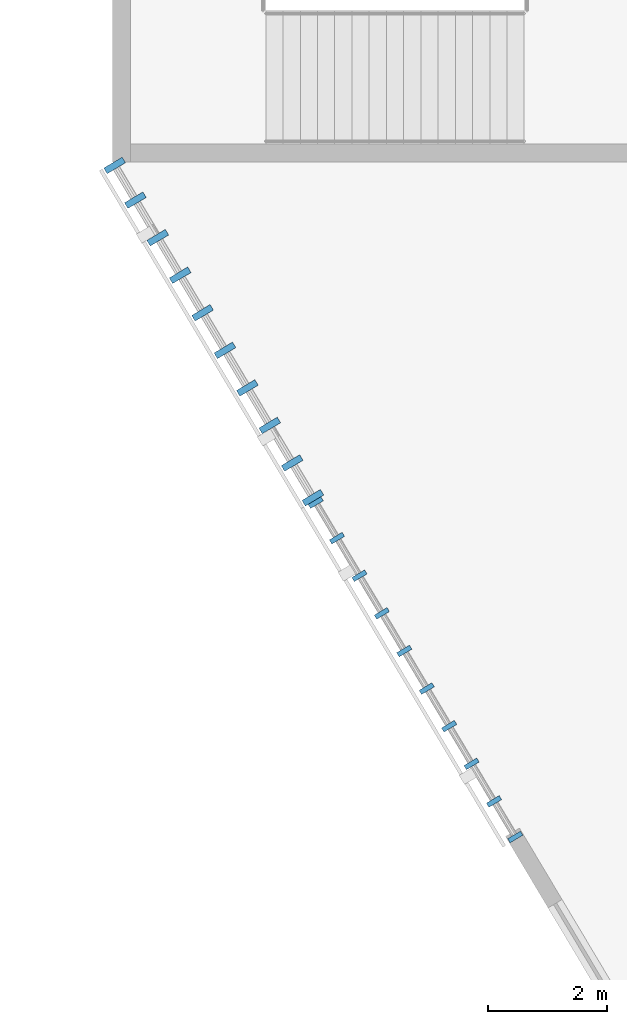
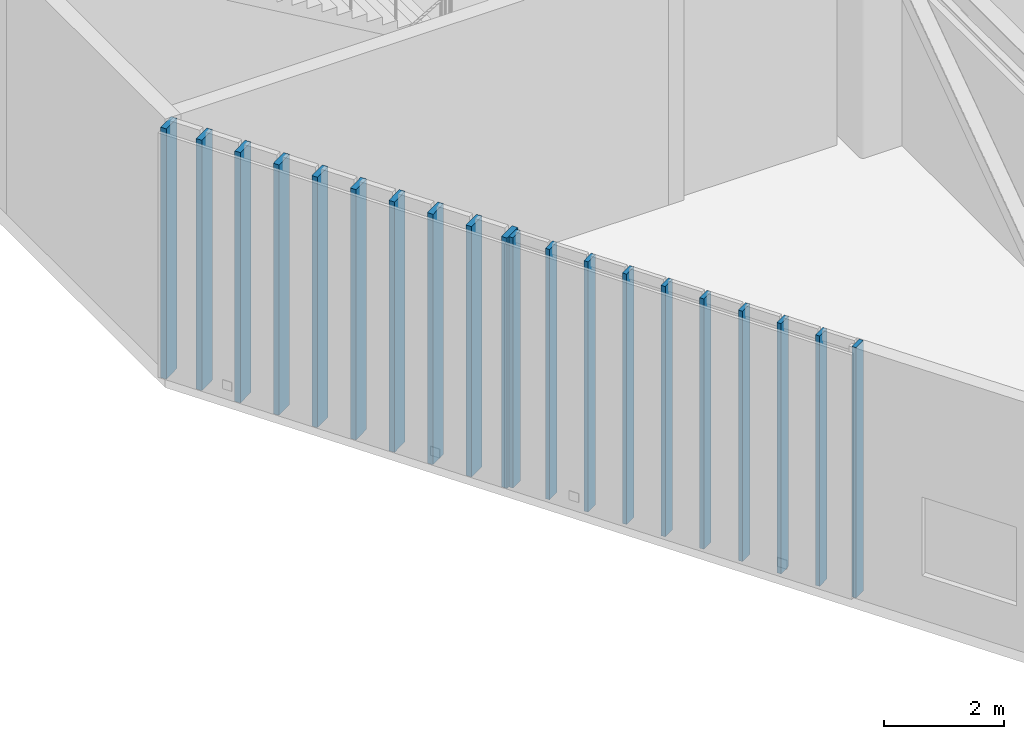
# One storey, part 15 of 135: 20 members, 2 elements without a shape of their own.
"""IFC4 building model written with IfcOpenShell, lengths in metres."""

from ifc_helpers import new_model, si_unit, direction, frame, origin, origin_2d, place, context, subcontext, project, spatial, rectangle, extrude, material, material_profile, profile_set, type_object, element, aggregate, save


model = new_model("IFC4")

# Units and contexts
model_context = context("Model", 3, precision=1e-05, world=origin(), true_north=direction((0.0, 1.0)))
body_context = subcontext(model_context, "Body", "Model", "MODEL_VIEW")
ifc_project = project(units=[si_unit("LENGTHUNIT", "METRE"), si_unit("AREAUNIT", "SQUARE_METRE"), si_unit("VOLUMEUNIT", "CUBIC_METRE"), si_unit("PLANEANGLEUNIT", "RADIAN"), si_unit("MASSUNIT", "GRAM", prefix="KILO")], contexts=[model_context])

# Site, building, storey
site_placement = place(None, origin())
site = spatial("IfcSite", under=ifc_project, at=site_placement, CompositionType="ELEMENT")
building_placement = place(site_placement, origin())
building = spatial("IfcBuilding", under=site, at=building_placement, Name="Larkvane Passage Sports Hall", CompositionType="ELEMENT")
storey_placement = place(building_placement, frame((0.0, 0.0, 16.800048828125)))
storey = spatial("IfcBuildingStorey", under=building, at=storey_placement, Name="L03", CompositionType="ELEMENT", Elevation=16.800048828125)

# Curtain wall, members
ifc_material_1 = material(Name="Thermally broken aluminium and low-E glazing", Category="aluminium")
curtain_wall_type_1 = type_object("IfcCurtainWallType", Name="CW-CLINIC", PredefinedType="USERDEFINED", material=ifc_material_1)
curtain_wall_1_placement = place(storey_placement, origin())
curtain_wall_1 = element("IfcCurtainWall", 1, at=curtain_wall_1_placement, inside=storey, type_object=curtain_wall_type_1, Name="Curtain wall CW5-L03-119", ObjectType="UNITISED CURTAIN WALL", PredefinedType="USERDEFINED")
ifc_material_2 = material(Name="Anodised aluminium 6063-T6", Category="aluminium")
ifc_material_profile_1 = material_profile(ifc_material_2, rectangle(XDim=0.110107421875, YDim=0.360107421875, at=origin_2d()), Name="ALU-MUL-110x360")
ifc_profile_set_1 = profile_set([ifc_material_profile_1], Name="Anodised aluminium 6063-T6")
member_type_1 = type_object("IfcMemberType", Name="CW-MUL-110x360", PredefinedType="MULLION", material=ifc_profile_set_1)
member_1_placement = place(storey_placement, frame((121.371826171875, 17.147216796875, 0.0), z_axis=(0.0, 0.0, 1.0), x_axis=(-0.512274395044, 0.858821834947, 0.0)))
member_1 = element("IfcMember", 2, at=member_1_placement, type_object=member_type_1, Name="CW-05 mullion 1", PredefinedType="MULLION", context=body_context, shape_type="SweptSolid", body=[
    extrude(rectangle(XDim=0.110107421875, YDim=0.360107421875, at=origin_2d()), origin(), (0.0, 0.0, 1.0), 5.099853515625),
])
member_2_placement = place(storey_placement, frame((121.02294921875, 17.732177734375, 0.0), z_axis=(0.0, 0.0, 1.0), x_axis=(-0.512274395044, 0.858821834947, 0.0)))
member_2 = element("IfcMember", 3, at=member_2_placement, type_object=member_type_1, Name="CW-05 mullion 2", PredefinedType="MULLION", context=body_context, shape_type="SweptSolid", body=[
    extrude(rectangle(XDim=0.110107421875, YDim=0.360107421875, at=origin_2d()), origin(), (0.0, 0.0, 1.0), 5.099853515625),
])
member_3_placement = place(storey_placement, frame((120.645751953125, 18.364501953125, 0.0), z_axis=(0.0, 0.0, 1.0), x_axis=(-0.512274395044, 0.858821834947, 0.0)))
member_3 = element("IfcMember", 4, at=member_3_placement, type_object=member_type_1, Name="CW-05 mullion 3", PredefinedType="MULLION", context=body_context, shape_type="SweptSolid", body=[
    extrude(rectangle(XDim=0.110107421875, YDim=0.360107421875, at=origin_2d()), origin(), (0.0, 0.0, 1.0), 5.099853515625),
])
member_4_placement = place(storey_placement, frame((120.2685546875, 18.99658203125, 0.0), z_axis=(0.0, 0.0, 1.0), x_axis=(-0.512274395044, 0.858821834947, 0.0)))
member_4 = element("IfcMember", 5, at=member_4_placement, type_object=member_type_1, Name="CW-05 mullion 4", PredefinedType="MULLION", context=body_context, shape_type="SweptSolid", body=[
    extrude(rectangle(XDim=0.110107421875, YDim=0.360107421875, at=origin_2d()), origin(), (0.0, 0.0, 1.0), 5.099853515625),
])
member_5_placement = place(storey_placement, frame((119.8916015625, 19.62890625, 0.0), z_axis=(0.0, 0.0, 1.0), x_axis=(-0.512274395044, 0.858821834947, 0.0)))
member_5 = element("IfcMember", 6, at=member_5_placement, type_object=member_type_1, Name="CW-05 mullion 5", PredefinedType="MULLION", context=body_context, shape_type="SweptSolid", body=[
    extrude(rectangle(XDim=0.110107421875, YDim=0.360107421875, at=origin_2d()), origin(), (0.0, 0.0, 1.0), 5.099853515625),
])
member_6_placement = place(storey_placement, frame((119.514404296875, 20.26123046875, 0.0), z_axis=(0.0, 0.0, 1.0), x_axis=(-0.512274395044, 0.858821834947, 0.0)))
member_6 = element("IfcMember", 7, at=member_6_placement, type_object=member_type_1, Name="CW-05 mullion 6", PredefinedType="MULLION", context=body_context, shape_type="SweptSolid", body=[
    extrude(rectangle(XDim=0.110107421875, YDim=0.360107421875, at=origin_2d()), origin(), (0.0, 0.0, 1.0), 5.099853515625),
])
member_7_placement = place(storey_placement, frame((119.137451171875, 20.893310546875, 0.0), z_axis=(0.0, 0.0, 1.0), x_axis=(-0.512274395044, 0.858821834947, 0.0)))
member_7 = element("IfcMember", 8, at=member_7_placement, type_object=member_type_1, Name="CW-05 mullion 7", PredefinedType="MULLION", context=body_context, shape_type="SweptSolid", body=[
    extrude(rectangle(XDim=0.110107421875, YDim=0.360107421875, at=origin_2d()), origin(), (0.0, 0.0, 1.0), 5.099853515625),
])
member_8_placement = place(storey_placement, frame((118.76025390625, 21.525634765625, 0.0), z_axis=(0.0, 0.0, 1.0), x_axis=(-0.512274395044, 0.858821834947, 0.0)))
member_8 = element("IfcMember", 9, at=member_8_placement, type_object=member_type_1, Name="CW-05 mullion 8", PredefinedType="MULLION", context=body_context, shape_type="SweptSolid", body=[
    extrude(rectangle(XDim=0.110107421875, YDim=0.360107421875, at=origin_2d()), origin(), (0.0, 0.0, 1.0), 5.099853515625),
])
member_9_placement = place(storey_placement, frame((118.383056640625, 22.15771484375, 0.0), z_axis=(0.0, 0.0, 1.0), x_axis=(-0.512274395044, 0.858821834947, 0.0)))
member_9 = element("IfcMember", 10, at=member_9_placement, type_object=member_type_1, Name="CW-05 mullion 9", PredefinedType="MULLION", context=body_context, shape_type="SweptSolid", body=[
    extrude(rectangle(XDim=0.110107421875, YDim=0.360107421875, at=origin_2d()), origin(), (0.0, 0.0, 1.0), 5.099853515625),
])
member_10_placement = place(storey_placement, frame((118.0341796875, 22.74267578125, 0.0), z_axis=(0.0, 0.0, 1.0), x_axis=(-0.512274395044, 0.858821834947, 0.0)))
member_10 = element("IfcMember", 11, at=member_10_placement, type_object=member_type_1, Name="CW-05 mullion 10", PredefinedType="MULLION", context=body_context, shape_type="SweptSolid", body=[
    extrude(rectangle(XDim=0.110107421875, YDim=0.360107421875, at=origin_2d()), origin(), (0.0, 0.0, 1.0), 5.099853515625),
])
aggregate(curtain_wall_1, [member_1, member_2, member_3, member_4, member_5, member_6, member_7, member_8, member_9, member_10])

curtain_wall_type_2 = type_object("IfcCurtainWallType", Name="CW-STICK-FOYER", PredefinedType="USERDEFINED", material=ifc_material_1)
curtain_wall_2_placement = place(storey_placement, origin())
curtain_wall_2 = element("IfcCurtainWall", 12, at=curtain_wall_2_placement, inside=storey, type_object=curtain_wall_type_2, Name="Curtain wall CW5-L03-118", ObjectType="STICK CURTAIN WALL", PredefinedType="USERDEFINED")
ifc_material_profile_2 = material_profile(ifc_material_2, rectangle(XDim=0.080078125, YDim=0.25, at=origin_2d()), Name="ALU-MUL-80x250")
ifc_profile_set_2 = profile_set([ifc_material_profile_2], Name="Anodised aluminium 6063-T6")
member_type_2 = type_object("IfcMemberType", Name="CW-MUL-80x250", PredefinedType="MULLION", material=ifc_profile_set_2)
member_11_placement = place(storey_placement, frame((124.779541015625, 11.434326171875, 0.0), z_axis=(0.0, 0.0, 1.0), x_axis=(-0.512278301212, 0.858819504964, 0.0)))
member_11 = element("IfcMember", 13, at=member_11_placement, type_object=member_type_2, Name="CW-03 mullion 1", PredefinedType="MULLION", context=body_context, shape_type="SweptSolid", body=[
    extrude(rectangle(XDim=0.080078125, YDim=0.25, at=origin_2d()), origin(), (0.0, 0.0, 1.0), 5.099853515625),
])
member_12_placement = place(storey_placement, frame((124.422119140625, 12.033447265625, 0.0), z_axis=(0.0, 0.0, 1.0), x_axis=(-0.512278301212, 0.858819504964, 0.0)))
member_12 = element("IfcMember", 14, at=member_12_placement, type_object=member_type_2, Name="CW-03 mullion 2", PredefinedType="MULLION", context=body_context, shape_type="SweptSolid", body=[
    extrude(rectangle(XDim=0.080078125, YDim=0.25, at=origin_2d()), origin(), (0.0, 0.0, 1.0), 5.099853515625),
])
member_13_placement = place(storey_placement, frame((124.04443359375, 12.666748046875, 0.0), z_axis=(0.0, 0.0, 1.0), x_axis=(-0.512278301212, 0.858819504964, 0.0)))
member_13 = element("IfcMember", 15, at=member_13_placement, type_object=member_type_2, Name="CW-03 mullion 3", PredefinedType="MULLION", context=body_context, shape_type="SweptSolid", body=[
    extrude(rectangle(XDim=0.080078125, YDim=0.25, at=origin_2d()), origin(), (0.0, 0.0, 1.0), 5.099853515625),
])
member_14_placement = place(storey_placement, frame((123.666748046875, 13.300048828125, 0.0), z_axis=(0.0, 0.0, 1.0), x_axis=(-0.512278301212, 0.858819504964, 0.0)))
member_14 = element("IfcMember", 16, at=member_14_placement, type_object=member_type_2, Name="CW-03 mullion 4", PredefinedType="MULLION", context=body_context, shape_type="SweptSolid", body=[
    extrude(rectangle(XDim=0.080078125, YDim=0.25, at=origin_2d()), origin(), (0.0, 0.0, 1.0), 5.099853515625),
])
member_15_placement = place(storey_placement, frame((123.288818359375, 13.933349609375, 0.0), z_axis=(0.0, 0.0, 1.0), x_axis=(-0.512278301212, 0.858819504964, 0.0)))
member_15 = element("IfcMember", 17, at=member_15_placement, type_object=member_type_2, Name="CW-03 mullion 5", PredefinedType="MULLION", context=body_context, shape_type="SweptSolid", body=[
    extrude(rectangle(XDim=0.080078125, YDim=0.25, at=origin_2d()), origin(), (0.0, 0.0, 1.0), 5.099853515625),
])
member_16_placement = place(storey_placement, frame((122.9111328125, 14.566650390625, 0.0), z_axis=(0.0, 0.0, 1.0), x_axis=(-0.512278301212, 0.858819504964, 0.0)))
member_16 = element("IfcMember", 18, at=member_16_placement, type_object=member_type_2, Name="CW-03 mullion 6", PredefinedType="MULLION", context=body_context, shape_type="SweptSolid", body=[
    extrude(rectangle(XDim=0.080078125, YDim=0.25, at=origin_2d()), origin(), (0.0, 0.0, 1.0), 5.099853515625),
])
member_17_placement = place(storey_placement, frame((122.533447265625, 15.199951171875, 0.0), z_axis=(0.0, 0.0, 1.0), x_axis=(-0.512278301212, 0.858819504964, 0.0)))
member_17 = element("IfcMember", 19, at=member_17_placement, type_object=member_type_2, Name="CW-03 mullion 7", PredefinedType="MULLION", context=body_context, shape_type="SweptSolid", body=[
    extrude(rectangle(XDim=0.080078125, YDim=0.25, at=origin_2d()), origin(), (0.0, 0.0, 1.0), 5.099853515625),
])
member_18_placement = place(storey_placement, frame((122.155517578125, 15.833251953125, 0.0), z_axis=(0.0, 0.0, 1.0), x_axis=(-0.512278301212, 0.858819504964, 0.0)))
member_18 = element("IfcMember", 20, at=member_18_placement, type_object=member_type_2, Name="CW-03 mullion 8", PredefinedType="MULLION", context=body_context, shape_type="SweptSolid", body=[
    extrude(rectangle(XDim=0.080078125, YDim=0.25, at=origin_2d()), origin(), (0.0, 0.0, 1.0), 5.099853515625),
])
member_19_placement = place(storey_placement, frame((121.77783203125, 16.466552734375, 0.0), z_axis=(0.0, 0.0, 1.0), x_axis=(-0.512278301212, 0.858819504964, 0.0)))
member_19 = element("IfcMember", 21, at=member_19_placement, type_object=member_type_2, Name="CW-03 mullion 9", PredefinedType="MULLION", context=body_context, shape_type="SweptSolid", body=[
    extrude(rectangle(XDim=0.080078125, YDim=0.25, at=origin_2d()), origin(), (0.0, 0.0, 1.0), 5.099853515625),
])
member_20_placement = place(storey_placement, frame((121.42041015625, 17.065673828125, 0.0), z_axis=(0.0, 0.0, 1.0), x_axis=(-0.512278301212, 0.858819504964, 0.0)))
member_20 = element("IfcMember", 22, at=member_20_placement, type_object=member_type_2, Name="CW-03 mullion 10", PredefinedType="MULLION", context=body_context, shape_type="SweptSolid", body=[
    extrude(rectangle(XDim=0.080078125, YDim=0.25, at=origin_2d()), origin(), (0.0, 0.0, 1.0), 5.099853515625),
])
aggregate(curtain_wall_2, [member_11, member_12, member_13, member_14, member_15, member_16, member_17, member_18, member_19, member_20])

save(model, "model.ifc")
